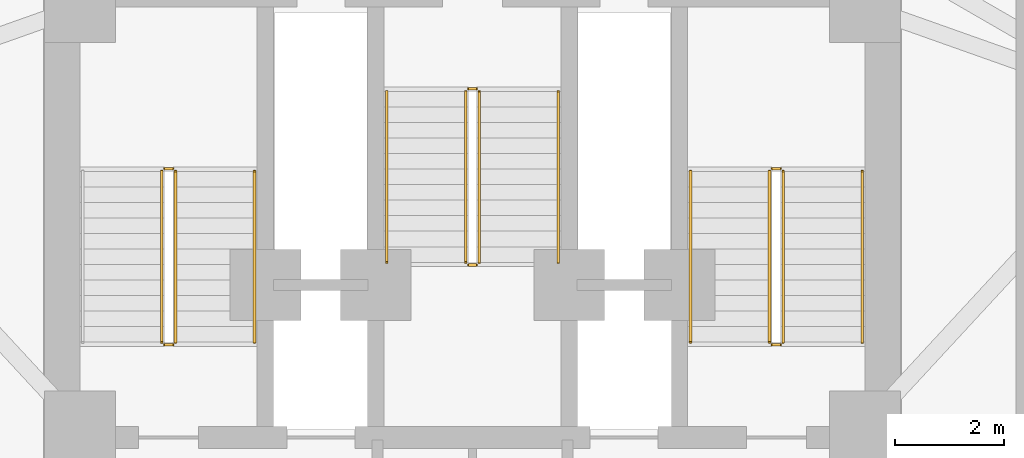
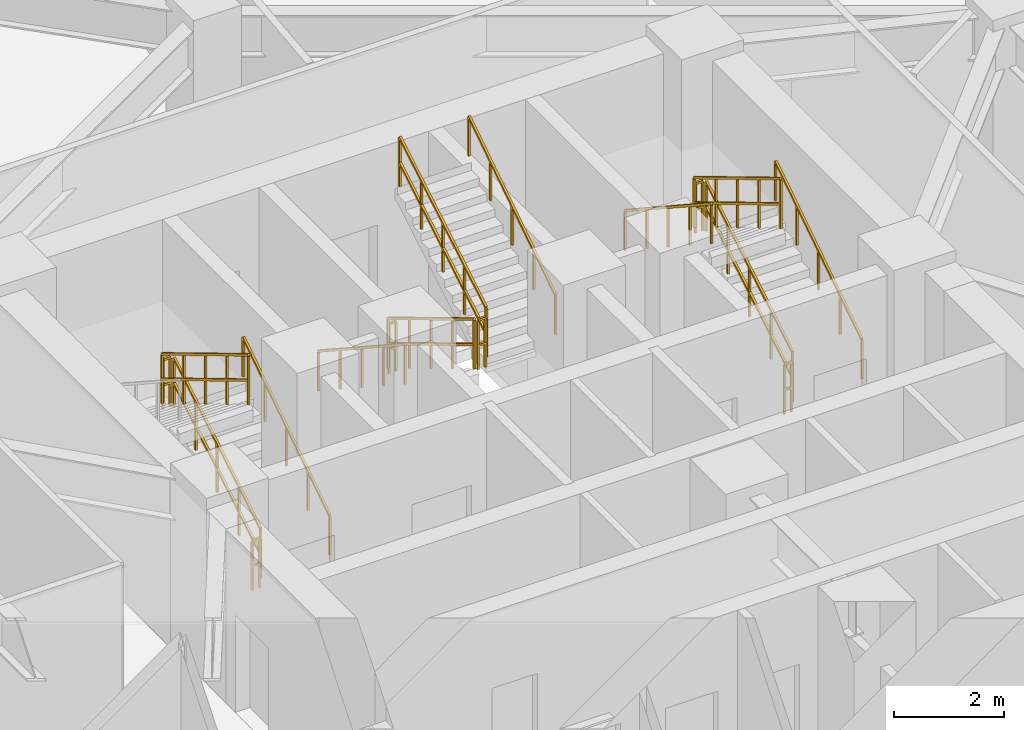
# One storey, part 10 of 11: 17 railings.
"""IFC4 building model written with IfcOpenShell, lengths in metres."""

from ifc_helpers import new_model, si_unit, direction, frame, origin, origin_2d, place, context, subcontext, project, spatial, rectangle, extrude, material, type_object, element, save


model = new_model("IFC4")

# Units and contexts
model_context = context("Model", 3, precision=1e-05, world=origin(), true_north=direction((0.0, 1.0)))
body_context = subcontext(model_context, "Body", "Model", "MODEL_VIEW")
ifc_project = project(units=[si_unit("LENGTHUNIT", "METRE"), si_unit("AREAUNIT", "SQUARE_METRE"), si_unit("VOLUMEUNIT", "CUBIC_METRE"), si_unit("PLANEANGLEUNIT", "RADIAN"), si_unit("MASSUNIT", "GRAM", prefix="KILO")], contexts=[model_context])

# Site, building, storey
site_placement = place(None, origin())
site = spatial("IfcSite", under=ifc_project, at=site_placement, CompositionType="ELEMENT")
building_placement = place(site_placement, origin())
building = spatial("IfcBuilding", under=site, at=building_placement, Name="Apsidion Concourse Tower", CompositionType="ELEMENT")
storey_placement = place(building_placement, frame((0.0, 0.0, 132.199951171875)))
storey = spatial("IfcBuildingStorey", under=building, at=storey_placement, Name="L30", CompositionType="ELEMENT", Elevation=132.199951171875)

# Railings
ifc_material = material(Name="Brushed stainless steel 316", Category="steel")
railing_type_1 = type_object("IfcRailingType", Name="RL-GUARD-1100", PredefinedType="GUARDRAIL", material=ifc_material)
railing_1_placement = place(storey_placement, frame((-5.449951171875, 3.0, 0.1708984375)))
element("IfcRailing", 1, at=railing_1_placement, inside=storey, type_object=railing_type_1, Name="L30 ST1 stair guard 1", PredefinedType="GUARDRAIL", context=body_context, shape_type="SweptSolid", body=[
    extrude(rectangle(XDim=0.048095703125, YDim=0.048095703125, at=origin_2d()), frame((0.0, 0.0, 1.09619140625), z_axis=(0.0, 0.857716804754, 0.514122439544), x_axis=(-1.0, 0.0, 0.0)), (0.0, 0.0, 1.0), 3.655029296875),
    extrude(rectangle(XDim=0.048095703125, YDim=0.048095703125, at=origin_2d()), frame((0.0, 0.0, 0.5361328125), z_axis=(0.0, 0.857716804754, 0.514122439544), x_axis=(-1.0, 0.0, 0.0)), (0.0, 0.0, 1.0), 3.655029296875),
    extrude(rectangle(XDim=0.0419921875, YDim=0.0419921875, at=origin_2d()), origin(), (0.0, 0.0, 1.0), 1.072021484375),
    extrude(rectangle(XDim=0.0419921875, YDim=0.0419921875, at=origin_2d()), frame((0.0, 0.78369140625, 0.4697265625)), (0.0, 0.0, 1.0), 1.072021484375),
    extrude(rectangle(XDim=0.0419921875, YDim=0.0419921875, at=origin_2d()), frame((0.0, 1.5673828125, 0.939453125)), (0.0, 0.0, 1.0), 1.072021484375),
    extrude(rectangle(XDim=0.0419921875, YDim=0.0419921875, at=origin_2d()), frame((0.0, 2.351318359375, 1.409423828125)), (0.0, 0.0, 1.0), 1.072021484375),
    extrude(rectangle(XDim=0.0419921875, YDim=0.0419921875, at=origin_2d()), frame((0.0, 3.135009765625, 1.879150390625)), (0.0, 0.0, 1.0), 1.072021484375),
])
railing_2_placement = place(storey_placement, frame((-5.5, 6.18505859375, 2.050048828125)))
element("IfcRailing", 2, at=railing_2_placement, inside=storey, type_object=railing_type_1, Name="L30 ST1 stair guard 2", PredefinedType="GUARDRAIL", context=body_context, shape_type="SweptSolid", body=[
    extrude(rectangle(XDim=0.048095703125, YDim=0.048095703125, at=origin_2d()), frame((0.0, 0.0, 1.09619140625), z_axis=(-1.0, 0.0, 0.0), x_axis=(0.0, -1.0, 0.0)), (0.0, 0.0, 1.0), 0.14990234375),
    extrude(rectangle(XDim=0.048095703125, YDim=0.048095703125, at=origin_2d()), frame((0.0, 0.0, 0.5361328125), z_axis=(-1.0, 0.0, 0.0), x_axis=(0.0, -1.0, 0.0)), (0.0, 0.0, 1.0), 0.14990234375),
    extrude(rectangle(XDim=0.0419921875, YDim=0.0419921875, at=origin_2d()), origin(), (0.0, 0.0, 1.0), 1.072021484375),
    extrude(rectangle(XDim=0.0419921875, YDim=0.0419921875, at=origin_2d()), frame((-0.14990234375, 0.0, 0.0)), (0.0, 0.0, 1.0), 1.072021484375),
])
railing_3_placement = place(storey_placement, frame((-5.699951171875, 6.135009765625, 2.220947265625)))
element("IfcRailing", 3, at=railing_3_placement, inside=storey, type_object=railing_type_1, Name="L30 ST1 stair guard 3", PredefinedType="GUARDRAIL", context=body_context, shape_type="SweptSolid", body=[
    extrude(rectangle(XDim=0.048095703125, YDim=0.048095703125, at=origin_2d()), frame((0.0, 0.0, 1.09619140625), z_axis=(0.0, -0.857716804754, 0.514122439544), x_axis=(1.0, 0.0, 0.0)), (0.0, 0.0, 1.0), 3.655029296875),
    extrude(rectangle(XDim=0.048095703125, YDim=0.048095703125, at=origin_2d()), frame((0.0, 0.0, 0.5361328125), z_axis=(0.0, -0.857716804754, 0.514122439544), x_axis=(1.0, 0.0, 0.0)), (0.0, 0.0, 1.0), 3.655029296875),
    extrude(rectangle(XDim=0.0419921875, YDim=0.0419921875, at=origin_2d()), origin(), (0.0, 0.0, 1.0), 1.072021484375),
    extrude(rectangle(XDim=0.0419921875, YDim=0.0419921875, at=origin_2d()), frame((0.0, -0.78369140625, 0.4697265625)), (0.0, 0.0, 1.0), 1.072021484375),
    extrude(rectangle(XDim=0.0419921875, YDim=0.0419921875, at=origin_2d()), frame((0.0, -1.5673828125, 0.939453125)), (0.0, 0.0, 1.0), 1.072021484375),
    extrude(rectangle(XDim=0.0419921875, YDim=0.0419921875, at=origin_2d()), frame((0.0, -2.351318359375, 1.409423828125)), (0.0, 0.0, 1.0), 1.072021484375),
    extrude(rectangle(XDim=0.0419921875, YDim=0.0419921875, at=origin_2d()), frame((0.0, -3.135009765625, 1.879150390625)), (0.0, 0.0, 1.0), 1.072021484375),
])
railing_4_placement = place(storey_placement, frame((-5.5, 2.949951171875, 0.0)))
element("IfcRailing", 4, at=railing_4_placement, inside=storey, type_object=railing_type_1, Name="L30 ST1 stair guard 4", PredefinedType="GUARDRAIL", context=body_context, shape_type="SweptSolid", body=[
    extrude(rectangle(XDim=0.048095703125, YDim=0.048095703125, at=origin_2d()), frame((0.0, 0.0, 1.09619140625), z_axis=(-1.0, 0.0, 0.0), x_axis=(0.0, -1.0, 0.0)), (0.0, 0.0, 1.0), 0.14990234375),
    extrude(rectangle(XDim=0.048095703125, YDim=0.048095703125, at=origin_2d()), frame((0.0, 0.0, 0.5361328125), z_axis=(-1.0, 0.0, 0.0), x_axis=(0.0, -1.0, 0.0)), (0.0, 0.0, 1.0), 0.14990234375),
    extrude(rectangle(XDim=0.0419921875, YDim=0.0419921875, at=origin_2d()), origin(), (0.0, 0.0, 1.0), 1.072021484375),
    extrude(rectangle(XDim=0.0419921875, YDim=0.0419921875, at=origin_2d()), frame((-0.14990234375, 0.0, 0.0)), (0.0, 0.0, 1.0), 1.072021484375),
])
railing_5_placement = place(storey_placement, frame((5.699951171875, 3.0, 0.1708984375)))
element("IfcRailing", 5, at=railing_5_placement, inside=storey, type_object=railing_type_1, Name="L30 ST2 stair guard 1", PredefinedType="GUARDRAIL", context=body_context, shape_type="SweptSolid", body=[
    extrude(rectangle(XDim=0.048095703125, YDim=0.048095703125, at=origin_2d()), frame((0.0, 0.0, 1.09619140625), z_axis=(0.0, 0.857716804754, 0.514122439544), x_axis=(-1.0, 0.0, 0.0)), (0.0, 0.0, 1.0), 3.655029296875),
    extrude(rectangle(XDim=0.048095703125, YDim=0.048095703125, at=origin_2d()), frame((0.0, 0.0, 0.5361328125), z_axis=(0.0, 0.857716804754, 0.514122439544), x_axis=(-1.0, 0.0, 0.0)), (0.0, 0.0, 1.0), 3.655029296875),
    extrude(rectangle(XDim=0.0419921875, YDim=0.0419921875, at=origin_2d()), origin(), (0.0, 0.0, 1.0), 1.072021484375),
    extrude(rectangle(XDim=0.0419921875, YDim=0.0419921875, at=origin_2d()), frame((0.0, 0.78369140625, 0.4697265625)), (0.0, 0.0, 1.0), 1.072021484375),
    extrude(rectangle(XDim=0.0419921875, YDim=0.0419921875, at=origin_2d()), frame((0.0, 1.5673828125, 0.939453125)), (0.0, 0.0, 1.0), 1.072021484375),
    extrude(rectangle(XDim=0.0419921875, YDim=0.0419921875, at=origin_2d()), frame((0.0, 2.351318359375, 1.409423828125)), (0.0, 0.0, 1.0), 1.072021484375),
    extrude(rectangle(XDim=0.0419921875, YDim=0.0419921875, at=origin_2d()), frame((0.0, 3.135009765625, 1.879150390625)), (0.0, 0.0, 1.0), 1.072021484375),
])
railing_6_placement = place(storey_placement, frame((5.64990234375, 6.18505859375, 2.050048828125)))
element("IfcRailing", 6, at=railing_6_placement, inside=storey, type_object=railing_type_1, Name="L30 ST2 stair guard 2", PredefinedType="GUARDRAIL", context=body_context, shape_type="SweptSolid", body=[
    extrude(rectangle(XDim=0.048095703125, YDim=0.048095703125, at=origin_2d()), frame((0.0, 0.0, 1.09619140625), z_axis=(-1.0, 0.0, 0.0), x_axis=(0.0, -1.0, 0.0)), (0.0, 0.0, 1.0), 0.14990234375),
    extrude(rectangle(XDim=0.048095703125, YDim=0.048095703125, at=origin_2d()), frame((0.0, 0.0, 0.5361328125), z_axis=(-1.0, 0.0, 0.0), x_axis=(0.0, -1.0, 0.0)), (0.0, 0.0, 1.0), 0.14990234375),
    extrude(rectangle(XDim=0.0419921875, YDim=0.0419921875, at=origin_2d()), origin(), (0.0, 0.0, 1.0), 1.072021484375),
    extrude(rectangle(XDim=0.0419921875, YDim=0.0419921875, at=origin_2d()), frame((-0.14990234375, 0.0, 0.0)), (0.0, 0.0, 1.0), 1.072021484375),
])
railing_7_placement = place(storey_placement, frame((5.449951171875, 6.135009765625, 2.220947265625)))
element("IfcRailing", 7, at=railing_7_placement, inside=storey, type_object=railing_type_1, Name="L30 ST2 stair guard 3", PredefinedType="GUARDRAIL", context=body_context, shape_type="SweptSolid", body=[
    extrude(rectangle(XDim=0.048095703125, YDim=0.048095703125, at=origin_2d()), frame((0.0, 0.0, 1.09619140625), z_axis=(0.0, -0.857716804754, 0.514122439544), x_axis=(1.0, 0.0, 0.0)), (0.0, 0.0, 1.0), 3.655029296875),
    extrude(rectangle(XDim=0.048095703125, YDim=0.048095703125, at=origin_2d()), frame((0.0, 0.0, 0.5361328125), z_axis=(0.0, -0.857716804754, 0.514122439544), x_axis=(1.0, 0.0, 0.0)), (0.0, 0.0, 1.0), 3.655029296875),
    extrude(rectangle(XDim=0.0419921875, YDim=0.0419921875, at=origin_2d()), origin(), (0.0, 0.0, 1.0), 1.072021484375),
    extrude(rectangle(XDim=0.0419921875, YDim=0.0419921875, at=origin_2d()), frame((0.0, -0.78369140625, 0.4697265625)), (0.0, 0.0, 1.0), 1.072021484375),
    extrude(rectangle(XDim=0.0419921875, YDim=0.0419921875, at=origin_2d()), frame((0.0, -1.5673828125, 0.939453125)), (0.0, 0.0, 1.0), 1.072021484375),
    extrude(rectangle(XDim=0.0419921875, YDim=0.0419921875, at=origin_2d()), frame((0.0, -2.351318359375, 1.409423828125)), (0.0, 0.0, 1.0), 1.072021484375),
    extrude(rectangle(XDim=0.0419921875, YDim=0.0419921875, at=origin_2d()), frame((0.0, -3.135009765625, 1.879150390625)), (0.0, 0.0, 1.0), 1.072021484375),
])
railing_8_placement = place(storey_placement, frame((5.64990234375, 2.949951171875, 0.0)))
element("IfcRailing", 8, at=railing_8_placement, inside=storey, type_object=railing_type_1, Name="L30 ST2 stair guard 4", PredefinedType="GUARDRAIL", context=body_context, shape_type="SweptSolid", body=[
    extrude(rectangle(XDim=0.048095703125, YDim=0.048095703125, at=origin_2d()), frame((0.0, 0.0, 1.09619140625), z_axis=(-1.0, 0.0, 0.0), x_axis=(0.0, -1.0, 0.0)), (0.0, 0.0, 1.0), 0.14990234375),
    extrude(rectangle(XDim=0.048095703125, YDim=0.048095703125, at=origin_2d()), frame((0.0, 0.0, 0.5361328125), z_axis=(-1.0, 0.0, 0.0), x_axis=(0.0, -1.0, 0.0)), (0.0, 0.0, 1.0), 0.14990234375),
    extrude(rectangle(XDim=0.0419921875, YDim=0.0419921875, at=origin_2d()), origin(), (0.0, 0.0, 1.0), 1.072021484375),
    extrude(rectangle(XDim=0.0419921875, YDim=0.0419921875, at=origin_2d()), frame((-0.14990234375, 0.0, 0.0)), (0.0, 0.0, 1.0), 1.072021484375),
])
railing_9_placement = place(storey_placement, frame((-0.125, 7.60009765625, 0.1708984375)))
element("IfcRailing", 9, at=railing_9_placement, inside=storey, type_object=railing_type_1, Name="L30 ST3 stair guard 1", PredefinedType="GUARDRAIL", context=body_context, shape_type="SweptSolid", body=[
    extrude(rectangle(XDim=0.048095703125, YDim=0.048095703125, at=origin_2d()), frame((0.0, 0.0, 1.09619140625), z_axis=(0.0, -0.857716804754, 0.514122439544), x_axis=(1.0, 0.0, 0.0)), (0.0, 0.0, 1.0), 3.655029296875),
    extrude(rectangle(XDim=0.048095703125, YDim=0.048095703125, at=origin_2d()), frame((0.0, 0.0, 0.5361328125), z_axis=(0.0, -0.857716804754, 0.514122439544), x_axis=(1.0, 0.0, 0.0)), (0.0, 0.0, 1.0), 3.655029296875),
    extrude(rectangle(XDim=0.0419921875, YDim=0.0419921875, at=origin_2d()), origin(), (0.0, 0.0, 1.0), 1.072021484375),
    extrude(rectangle(XDim=0.0419921875, YDim=0.0419921875, at=origin_2d()), frame((0.0, -0.78369140625, 0.4697265625)), (0.0, 0.0, 1.0), 1.072021484375),
    extrude(rectangle(XDim=0.0419921875, YDim=0.0419921875, at=origin_2d()), frame((0.0, -1.5673828125, 0.939453125)), (0.0, 0.0, 1.0), 1.072021484375),
    extrude(rectangle(XDim=0.0419921875, YDim=0.0419921875, at=origin_2d()), frame((0.0, -2.351318359375, 1.409423828125)), (0.0, 0.0, 1.0), 1.072021484375),
    extrude(rectangle(XDim=0.0419921875, YDim=0.0419921875, at=origin_2d()), frame((0.0, -3.135009765625, 1.879150390625)), (0.0, 0.0, 1.0), 1.072021484375),
])
railing_10_placement = place(storey_placement, frame((-0.074951171875, 4.4150390625, 2.050048828125)))
element("IfcRailing", 10, at=railing_10_placement, inside=storey, type_object=railing_type_1, Name="L30 ST3 stair guard 2", PredefinedType="GUARDRAIL", context=body_context, shape_type="SweptSolid", body=[
    extrude(rectangle(XDim=0.048095703125, YDim=0.048095703125, at=origin_2d()), frame((0.0, 0.0, 1.09619140625), z_axis=(1.0, 0.0, 0.0), x_axis=(0.0, 1.0, 0.0)), (0.0, 0.0, 1.0), 0.14990234375),
    extrude(rectangle(XDim=0.048095703125, YDim=0.048095703125, at=origin_2d()), frame((0.0, 0.0, 0.5361328125), z_axis=(1.0, 0.0, 0.0), x_axis=(0.0, 1.0, 0.0)), (0.0, 0.0, 1.0), 0.14990234375),
    extrude(rectangle(XDim=0.0419921875, YDim=0.0419921875, at=origin_2d()), origin(), (0.0, 0.0, 1.0), 1.072021484375),
    extrude(rectangle(XDim=0.0419921875, YDim=0.0419921875, at=origin_2d()), frame((0.14990234375, 0.0, 0.0)), (0.0, 0.0, 1.0), 1.072021484375),
])
railing_11_placement = place(storey_placement, frame((0.125, 4.465087890625, 2.220947265625)))
element("IfcRailing", 11, at=railing_11_placement, inside=storey, type_object=railing_type_1, Name="L30 ST3 stair guard 3", PredefinedType="GUARDRAIL", context=body_context, shape_type="SweptSolid", body=[
    extrude(rectangle(XDim=0.048095703125, YDim=0.048095703125, at=origin_2d()), frame((0.0, 0.0, 1.09619140625), z_axis=(0.0, 0.857716804754, 0.514122439544), x_axis=(-1.0, 0.0, 0.0)), (0.0, 0.0, 1.0), 3.655029296875),
    extrude(rectangle(XDim=0.048095703125, YDim=0.048095703125, at=origin_2d()), frame((0.0, 0.0, 0.5361328125), z_axis=(0.0, 0.857716804754, 0.514122439544), x_axis=(-1.0, 0.0, 0.0)), (0.0, 0.0, 1.0), 3.655029296875),
    extrude(rectangle(XDim=0.0419921875, YDim=0.0419921875, at=origin_2d()), origin(), (0.0, 0.0, 1.0), 1.072021484375),
    extrude(rectangle(XDim=0.0419921875, YDim=0.0419921875, at=origin_2d()), frame((0.0, 0.78369140625, 0.4697265625)), (0.0, 0.0, 1.0), 1.072021484375),
    extrude(rectangle(XDim=0.0419921875, YDim=0.0419921875, at=origin_2d()), frame((0.0, 1.5673828125, 0.939453125)), (0.0, 0.0, 1.0), 1.072021484375),
    extrude(rectangle(XDim=0.0419921875, YDim=0.0419921875, at=origin_2d()), frame((0.0, 2.351318359375, 1.409423828125)), (0.0, 0.0, 1.0), 1.072021484375),
    extrude(rectangle(XDim=0.0419921875, YDim=0.0419921875, at=origin_2d()), frame((0.0, 3.135009765625, 1.879150390625)), (0.0, 0.0, 1.0), 1.072021484375),
])
railing_12_placement = place(storey_placement, frame((-0.074951171875, 7.64990234375, 0.0)))
element("IfcRailing", 12, at=railing_12_placement, inside=storey, type_object=railing_type_1, Name="L30 ST3 stair guard 4", PredefinedType="GUARDRAIL", context=body_context, shape_type="SweptSolid", body=[
    extrude(rectangle(XDim=0.048095703125, YDim=0.048095703125, at=origin_2d()), frame((0.0, 0.0, 1.09619140625), z_axis=(1.0, 0.0, 0.0), x_axis=(0.0, 1.0, 0.0)), (0.0, 0.0, 1.0), 0.14990234375),
    extrude(rectangle(XDim=0.048095703125, YDim=0.048095703125, at=origin_2d()), frame((0.0, 0.0, 0.5361328125), z_axis=(1.0, 0.0, 0.0), x_axis=(0.0, 1.0, 0.0)), (0.0, 0.0, 1.0), 0.14990234375),
    extrude(rectangle(XDim=0.0419921875, YDim=0.0419921875, at=origin_2d()), origin(), (0.0, 0.0, 1.0), 1.072021484375),
    extrude(rectangle(XDim=0.0419921875, YDim=0.0419921875, at=origin_2d()), frame((0.14990234375, 0.0, 0.0)), (0.0, 0.0, 1.0), 1.072021484375),
])
railing_type_2 = type_object("IfcRailingType", Name="RL-HAND-900", PredefinedType="HANDRAIL", material=ifc_material)
for number, where, name in (
    (13, (-4.0, 3.0, 0.1708984375), "L30 ST1 stair handrail 1"),
    (14, (7.14990234375, 3.0, 0.1708984375), "L30 ST2 stair handrail 1"),
):
    element("IfcRailing", number, at=place(storey_placement, frame(where)), inside=storey, type_object=railing_type_2, Name=name, PredefinedType="HANDRAIL", context=body_context, shape_type="SweptSolid", body=[
        extrude(rectangle(XDim=0.048095703125, YDim=0.048095703125, at=origin_2d()), frame((0.0, 0.0, 0.8759765625), z_axis=(0.0, 0.836940907821, 0.547293263996), x_axis=(-1.0, 0.0, 0.0)), (0.0, 0.0, 1.0), 3.745849609375),
        extrude(rectangle(XDim=0.0419921875, YDim=0.0419921875, at=origin_2d()), origin(), (0.0, 0.0, 1.0), 0.851806640625),
        extrude(rectangle(XDim=0.0419921875, YDim=0.0419921875, at=origin_2d()), frame((0.0, 0.78369140625, 0.512451171875)), (0.0, 0.0, 1.0), 0.851806640625),
        extrude(rectangle(XDim=0.0419921875, YDim=0.0419921875, at=origin_2d()), frame((0.0, 1.5673828125, 1.02490234375)), (0.0, 0.0, 1.0), 0.851806640625),
        extrude(rectangle(XDim=0.0419921875, YDim=0.0419921875, at=origin_2d()), frame((0.0, 2.351318359375, 1.53759765625)), (0.0, 0.0, 1.0), 0.851806640625),
        extrude(rectangle(XDim=0.0419921875, YDim=0.0419921875, at=origin_2d()), frame((0.0, 3.135009765625, 2.050048828125)), (0.0, 0.0, 1.0), 0.851806640625),
    ])
for number, where, name in (
    (15, (4.0, 6.135009765625, 2.220947265625), "L30 ST2 stair handrail 2"),
    (16, (-1.574951171875, 7.60009765625, 0.1708984375), "L30 ST3 stair handrail 1"),
):
    element("IfcRailing", number, at=place(storey_placement, frame(where)), inside=storey, type_object=railing_type_2, Name=name, PredefinedType="HANDRAIL", context=body_context, shape_type="SweptSolid", body=[
        extrude(rectangle(XDim=0.048095703125, YDim=0.048095703125, at=origin_2d()), frame((0.0, 0.0, 0.8759765625), z_axis=(0.0, -0.836940907821, 0.547293263996), x_axis=(1.0, 0.0, 0.0)), (0.0, 0.0, 1.0), 3.745849609375),
        extrude(rectangle(XDim=0.0419921875, YDim=0.0419921875, at=origin_2d()), origin(), (0.0, 0.0, 1.0), 0.851806640625),
        extrude(rectangle(XDim=0.0419921875, YDim=0.0419921875, at=origin_2d()), frame((0.0, -0.78369140625, 0.512451171875)), (0.0, 0.0, 1.0), 0.851806640625),
        extrude(rectangle(XDim=0.0419921875, YDim=0.0419921875, at=origin_2d()), frame((0.0, -1.5673828125, 1.02490234375)), (0.0, 0.0, 1.0), 0.851806640625),
        extrude(rectangle(XDim=0.0419921875, YDim=0.0419921875, at=origin_2d()), frame((0.0, -2.351318359375, 1.53759765625)), (0.0, 0.0, 1.0), 0.851806640625),
        extrude(rectangle(XDim=0.0419921875, YDim=0.0419921875, at=origin_2d()), frame((0.0, -3.135009765625, 2.050048828125)), (0.0, 0.0, 1.0), 0.851806640625),
    ])
railing_13_placement = place(storey_placement, frame((1.574951171875, 4.465087890625, 2.220947265625)))
element("IfcRailing", 17, at=railing_13_placement, inside=storey, type_object=railing_type_2, Name="L30 ST3 stair handrail 2", PredefinedType="HANDRAIL", context=body_context, shape_type="SweptSolid", body=[
    extrude(rectangle(XDim=0.048095703125, YDim=0.048095703125, at=origin_2d()), frame((0.0, 0.0, 0.8759765625), z_axis=(0.0, 0.836940907821, 0.547293263996), x_axis=(-1.0, 0.0, 0.0)), (0.0, 0.0, 1.0), 3.745849609375),
    extrude(rectangle(XDim=0.0419921875, YDim=0.0419921875, at=origin_2d()), origin(), (0.0, 0.0, 1.0), 0.851806640625),
    extrude(rectangle(XDim=0.0419921875, YDim=0.0419921875, at=origin_2d()), frame((0.0, 0.78369140625, 0.512451171875)), (0.0, 0.0, 1.0), 0.851806640625),
    extrude(rectangle(XDim=0.0419921875, YDim=0.0419921875, at=origin_2d()), frame((0.0, 1.5673828125, 1.02490234375)), (0.0, 0.0, 1.0), 0.851806640625),
    extrude(rectangle(XDim=0.0419921875, YDim=0.0419921875, at=origin_2d()), frame((0.0, 2.351318359375, 1.53759765625)), (0.0, 0.0, 1.0), 0.851806640625),
    extrude(rectangle(XDim=0.0419921875, YDim=0.0419921875, at=origin_2d()), frame((0.0, 3.135009765625, 2.050048828125)), (0.0, 0.0, 1.0), 0.851806640625),
])

save(model, "model.ifc")
